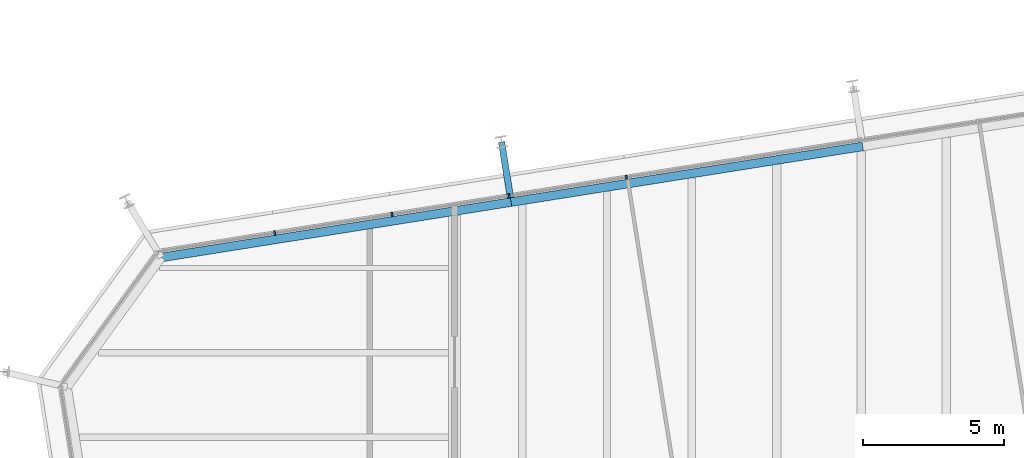
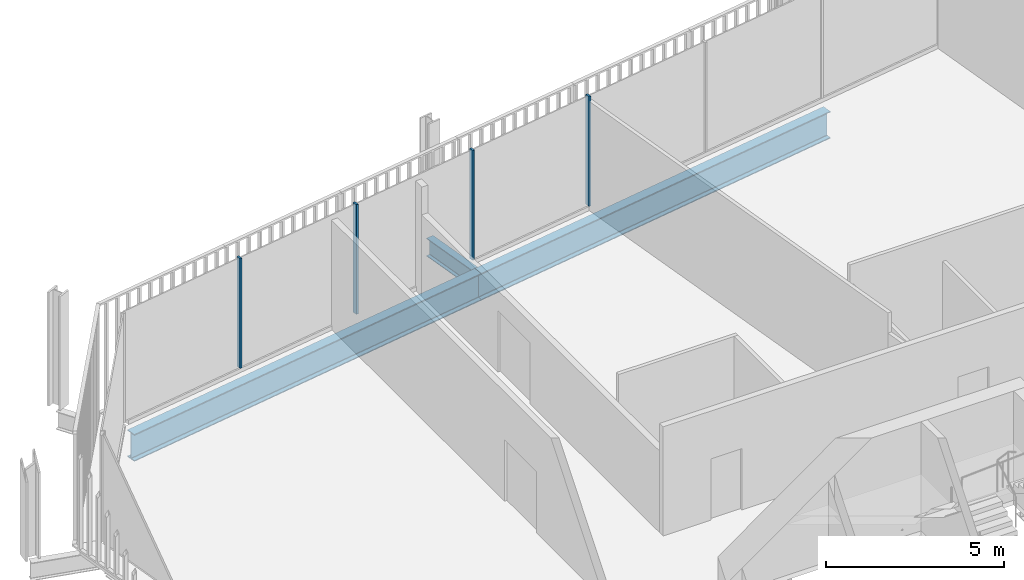
# One storey, part 12 of 20: 4 members, 3 beams, 1 element without a shape of its own.
"""IFC4 building model written with IfcOpenShell, lengths in metres."""

from ifc_helpers import new_model, si_unit, direction, frame, origin, origin_2d, place, context, subcontext, project, spatial, rectangle, i_section, extrude, material, layer, layer_set, material_profile, profile_set, type_object, element, aggregate, save


model = new_model("IFC4")

# Units and contexts
model_context = context("Model", 3, precision=1e-05, world=origin(), true_north=direction((0.0, 1.0)))
body_context = subcontext(model_context, "Body", "Model", "MODEL_VIEW")
ifc_project = project(units=[si_unit("LENGTHUNIT", "METRE"), si_unit("AREAUNIT", "SQUARE_METRE"), si_unit("VOLUMEUNIT", "CUBIC_METRE"), si_unit("PLANEANGLEUNIT", "RADIAN"), si_unit("MASSUNIT", "GRAM", prefix="KILO")], contexts=[model_context])

# Site, building, storey
site_placement = place(None, origin())
site = spatial("IfcSite", under=ifc_project, at=site_placement, CompositionType="ELEMENT")
building_placement = place(site_placement, origin())
building = spatial("IfcBuilding", under=site, at=building_placement, Name="Millrace Tower", CompositionType="ELEMENT")
storey_placement = place(building_placement, frame((0.0, 0.0, 208.60009765625)))
storey = spatial("IfcBuildingStorey", under=building, at=storey_placement, Name="L47", CompositionType="ELEMENT", Elevation=208.60009765625)

# Curtain wall, members
ifc_material_1 = material(Name="Aluminium and glass", Category="aluminium")
ifc_layer = layer(ifc_material_1, 0.14990234375)
ifc_layer_set = layer_set([ifc_layer], Name="Aluminium and glass")
curtain_wall_type = type_object("IfcCurtainWallType", Name="CW-1 office vision curtain wall", PredefinedType="NOTDEFINED", material=ifc_layer_set)
curtain_wall_placement = place(storey_placement, origin())
curtain_wall = element("IfcCurtainWall", 1, at=curtain_wall_placement, inside=storey, type_object=curtain_wall_type, Name="Curtain wall D-F06 L47", PredefinedType="NOTDEFINED")
ifc_material_2 = material(Name="Aluminium", Category="aluminium")
ifc_material_profile_1 = material_profile(ifc_material_2, rectangle(XDim=0.06494140625, YDim=0.14990234375, at=origin_2d()))
ifc_profile_set_1 = profile_set([ifc_material_profile_1], Name="Aluminium")
member_type = type_object("IfcMemberType", Name="CW-1 office vision curtain wall mullion", PredefinedType="MULLION", material=ifc_profile_set_1)
member_1_placement = place(storey_placement, frame((-8.31591796875, 27.207275390625, 0.139892578125), z_axis=(0.0, 0.0, 1.0), x_axis=(-0.987688339511, -0.156434471884, 0.0)))
member_1 = element("IfcMember", 2, at=member_1_placement, type_object=member_type, Name="CW1 mullion D-F06.6", PredefinedType="MULLION", context=body_context, shape_type="SweptSolid", body=[
    extrude(rectangle(XDim=0.06494140625, YDim=0.14990234375, at=origin_2d()), origin(), (0.0, 0.0, 1.0), 3.760009765625),
])
member_2_placement = place(storey_placement, frame((-12.46435546875, 26.55029296875, 0.139892578125), z_axis=(0.0, 0.0, 1.0), x_axis=(-0.987688339511, -0.156434471884, 0.0)))
member_2 = element("IfcMember", 3, at=member_2_placement, type_object=member_type, Name="CW1 mullion D-F06.7", PredefinedType="MULLION", context=body_context, shape_type="SweptSolid", body=[
    extrude(rectangle(XDim=0.06494140625, YDim=0.14990234375, at=origin_2d()), origin(), (0.0, 0.0, 1.0), 3.760009765625),
])
member_3_placement = place(storey_placement, frame((-16.612548828125, 25.893310546875, 0.139892578125), z_axis=(0.0, 0.0, 1.0), x_axis=(-0.987688339511, -0.156434471884, 0.0)))
member_3 = element("IfcMember", 4, at=member_3_placement, type_object=member_type, Name="CW1 mullion D-F06.8", PredefinedType="MULLION", context=body_context, shape_type="SweptSolid", body=[
    extrude(rectangle(XDim=0.06494140625, YDim=0.14990234375, at=origin_2d()), origin(), (0.0, 0.0, 1.0), 3.760009765625),
])
member_4_placement = place(storey_placement, frame((-20.7607421875, 25.236328125, 0.139892578125), z_axis=(0.0, 0.0, 1.0), x_axis=(-0.987688339511, -0.156434471884, 0.0)))
member_4 = element("IfcMember", 5, at=member_4_placement, type_object=member_type, Name="CW1 mullion D-F06.9", PredefinedType="MULLION", context=body_context, shape_type="SweptSolid", body=[
    extrude(rectangle(XDim=0.06494140625, YDim=0.14990234375, at=origin_2d()), origin(), (0.0, 0.0, 1.0), 3.760009765625),
])
aggregate(curtain_wall, [member_1, member_2, member_3, member_4])

# Beams
ifc_material_3 = material(Name="Steel ASTM A992 Grade 50", Category="steel")
ifc_material_profile_2 = material_profile(ifc_material_3, i_section(OverallWidth=0.23046875, OverallDepth=0.6171875, WebThickness=0.01318359375, FlangeThickness=0.022216796875, FilletRadius=0.012939453125, at=origin_2d()))
ifc_profile_set_2 = profile_set([ifc_material_profile_2], Name="Steel ASTM A992 Grade 50")
beam_type_1 = type_object("IfcBeamType", Name="Link beam W24x94", PredefinedType="BEAM", material=ifc_profile_set_2)
beam_1_placement = place(storey_placement, frame((-12.42041015625, 26.481201171875, -0.46875), z_axis=(-0.156476509441, 0.987681680499, 0.0), x_axis=(-0.987681680499, -0.156476509441, 0.0)))
element("IfcBeam", 6, at=beam_1_placement, inside=storey, type_object=beam_type_1, Name="LNK-D-L47-S1-06", PredefinedType="BEAM", context=body_context, shape_type="SweptSolid", body=[
    extrude(i_section(OverallWidth=0.23046875, OverallDepth=0.6171875, WebThickness=0.01318359375, FlangeThickness=0.022216796875, FilletRadius=0.012939453125, at=origin_2d()), origin(), (0.0, 0.0, 1.0), 2.000244140625),
])
ifc_material_4 = material(Name="Steel ASTM A992 Grade 50", Category="steel")
ifc_material_profile_3 = material_profile(ifc_material_4, i_section(OverallWidth=0.307373046875, OverallDepth=0.927001953125, WebThickness=0.01953125, FlangeThickness=0.031982421875, FilletRadius=0.01904296875, at=origin_2d()))
ifc_profile_set_3 = profile_set([ifc_material_profile_3], Name="Steel ASTM A992 Grade 50")
beam_type_2 = type_object("IfcBeamType", Name="Ring beam medium span W36x194", PredefinedType="SPANDREL", material=ifc_profile_set_3)
beam_2_placement = place(storey_placement, frame((-24.7783203125, 24.368408203125, -0.62353515625), z_axis=(0.987687213011, 0.156441584157, 0.0), x_axis=(-0.156441584157, 0.987687213011, 0.0)))
element("IfcBeam", 7, at=beam_2_placement, inside=storey, type_object=beam_type_2, Name="RNG-D-L47-S1-05", PredefinedType="SPANDREL", context=body_context, shape_type="SweptSolid", body=[
    extrude(i_section(OverallWidth=0.307373046875, OverallDepth=0.927001953125, WebThickness=0.01953125, FlangeThickness=0.031982421875, FilletRadius=0.01904296875, at=origin_2d()), origin(), (0.0, 0.0, 1.0), 12.5361328125),
])
beam_3_placement = place(storey_placement, frame((-12.396484375, 26.32958984375, -0.62353515625), z_axis=(0.987690277015, 0.156422238477, 0.0), x_axis=(-0.156422238477, 0.987690277015, 0.0)))
element("IfcBeam", 8, at=beam_3_placement, inside=storey, type_object=beam_type_2, Name="RNG-D-L47-S1-06", PredefinedType="SPANDREL", context=body_context, shape_type="SweptSolid", body=[
    extrude(i_section(OverallWidth=0.307373046875, OverallDepth=0.927001953125, WebThickness=0.01953125, FlangeThickness=0.031982421875, FilletRadius=0.01904296875, at=origin_2d()), origin(), (0.0, 0.0, 1.0), 12.60009765625),
])

save(model, "model.ifc")
